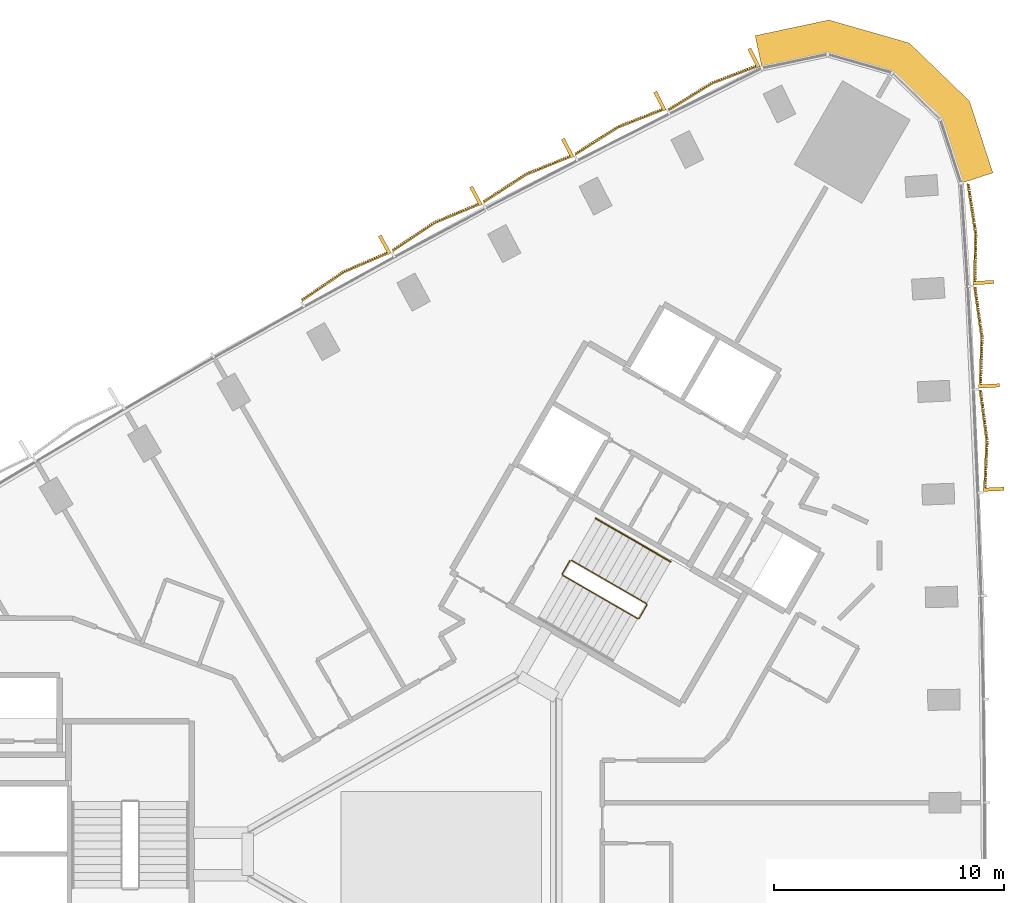
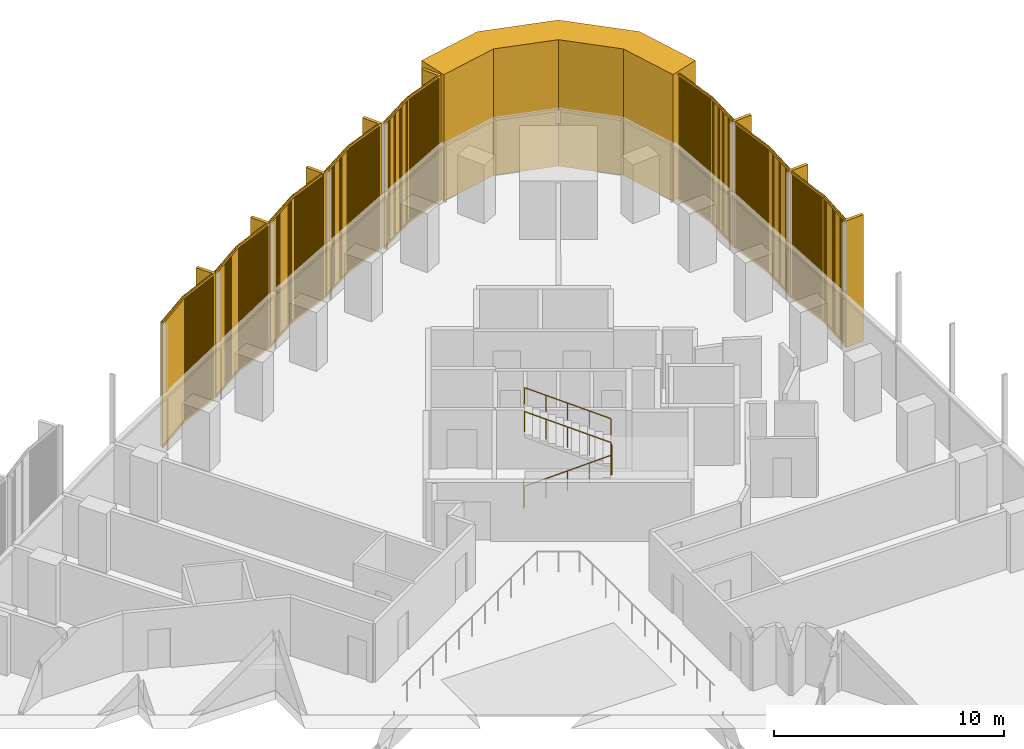
# One storey, part 15 of 15: 9 coverings, 2 railings.
"""IFC4 building model written with IfcOpenShell, lengths in metres."""

from ifc_helpers import new_model, si_unit, direction, frame, frame_2d, origin, origin_2d, place, context, subcontext, project, spatial, polyline, rectangle, circle, outline, extrude, source, transform, mapped, material, layer, layer_set, type_object, element, save


model = new_model("IFC4")

# Units and contexts
model_context = context("Model", 3, precision=1e-05, world=origin(), true_north=direction((0.0, 1.0)))
body_context = subcontext(model_context, "Body", "Model", "MODEL_VIEW")
ifc_project = project(units=[si_unit("LENGTHUNIT", "METRE"), si_unit("AREAUNIT", "SQUARE_METRE"), si_unit("VOLUMEUNIT", "CUBIC_METRE"), si_unit("PLANEANGLEUNIT", "RADIAN"), si_unit("MASSUNIT", "GRAM", prefix="KILO")], contexts=[model_context])

# Site, building, storey
site_placement = place(None, origin())
site = spatial("IfcSite", under=ifc_project, at=site_placement, CompositionType="ELEMENT")
building_placement = place(site_placement, origin())
building = spatial("IfcBuilding", under=site, at=building_placement, Name="Tamra Quay Hotel Tower", CompositionType="ELEMENT")
storey_placement = place(building_placement, frame((0.0, 0.0, 35.0)))
storey = spatial("IfcBuildingStorey", under=building, at=storey_placement, Name="L06", CompositionType="ELEMENT", Elevation=35.0)

# Covering
ifc_material_1 = material(Name="Precast concrete M60 terracotta-coloured", Category="masonry")
ifc_layer = layer(ifc_material_1, 1.449951171875)
ifc_layer_set = layer_set([ifc_layer], Name="CORNER PIER PANEL")
covering_type_1 = type_object("IfcCoveringType", Name="CORNER PIER PANEL", PredefinedType="CLADDING", material=ifc_layer_set)
covering_placement = place(storey_placement, origin())
element("IfcCovering", 1, at=covering_placement, inside=storey, type_object=covering_type_1, Name="Corner pier L06.east", PredefinedType="CLADDING", context=body_context, shape_type="SweptSolid", body=[
    extrude(outline(polyline([(22.598876953125, 29.154296875), (23.977783203125, 29.602294921875), (22.96533203125, 32.718017578125), (20.3486328125, 35.244873046875), (16.85205078125, 36.24755859375), (13.6474609375, 35.56640625), (13.948974609375, 34.148193359375), (16.7998046875, 34.754150390625), (19.601318359375, 33.95068359375), (21.697998046875, 31.926025390625), (22.598876953125, 29.154296875)])), origin(), (0.0, 0.0, 1.0), 6.72509765625),
])

# Railings
ifc_material_2 = material(Name="Stair guard 1100")
railing_type_1 = type_object("IfcRailingType", Name="Stair guard 1100", PredefinedType="GUARDRAIL", material=ifc_material_2)
railing_1_placement = place(storey_placement, frame((5.595458984375, 12.751953125, 0.0)))
element("IfcRailing", 2, at=railing_1_placement, inside=storey, type_object=railing_type_1, Name="GR", PredefinedType="GUARDRAIL", context=body_context, shape_type="SweptSolid", body=[
    extrude(circle(Radius=0.02392578125, at=origin_2d()), frame((0.0, 0.0, 1.076171875), z_axis=(-0.499765215335, -0.866160914346, 0.0), x_axis=(0.866160914346, -0.499765215335, 0.0)), (0.0, 0.0, 1.0), 0.658935546875),
    extrude(circle(Radius=0.02392578125, at=origin_2d()), frame((-0.329345703125, -0.57080078125, 1.076171875), z_axis=(0.110525977783, -0.411156637351, 0.904839338113), x_axis=(0.965715946433, 0.259601060869, 0.0)), (0.0, 0.0, 1.0), 0.165771484375),
    extrude(circle(Radius=0.02392578125, at=origin_2d()), frame((-0.31103515625, -0.638916015625, 1.22607421875), z_axis=(0.79305953016, -0.457922937641, 0.401700342053), x_axis=(0.500040788363, 0.866001853331, 0.0)), (0.0, 0.0, 1.0), 4.10791015625),
    extrude(circle(Radius=0.02392578125, at=origin_2d()), frame((2.94677734375, -2.52001953125, 2.8759765625), z_axis=(0.965948051503, 0.258736085224, 0.0), x_axis=(-0.258736085224, 0.965948051503, 0.0)), (0.0, 0.0, 1.0), 0.07080078125),
    extrude(circle(Radius=0.02392578125, at=origin_2d()), frame((3.01513671875, -2.501708984375, 2.8759765625), z_axis=(0.500043078269, 0.866000531106, 0.0), x_axis=(-0.866000531106, 0.500043078269, 0.0)), (0.0, 0.0, 1.0), 0.6591796875),
    extrude(circle(Radius=0.02392578125, at=origin_2d()), frame((3.3447265625, -1.930908203125, 2.8759765625), z_axis=(-0.110525977783, 0.411156637351, 0.904839338113), x_axis=(-0.965715946433, -0.259601060869, 0.0)), (0.0, 0.0, 1.0), 0.165771484375),
    extrude(circle(Radius=0.02392578125, at=origin_2d()), frame((3.326416015625, -1.86279296875, 3.02587890625), z_axis=(-0.793081581205, 0.457901355053, 0.401681409319), x_axis=(-0.500012686397, -0.866018079166, 0.0)), (0.0, 0.0, 1.0), 4.108154296875),
    extrude(circle(Radius=0.02099609375, at=origin_2d()), origin(), (0.0, 0.0, 1.0), 1.052001953125),
    extrude(circle(Radius=0.02099609375, at=origin_2d()), frame((-0.329345703125, -0.57080078125, 0.0)), (0.0, 0.0, 1.0), 1.052001953125),
    extrude(circle(Radius=0.02099609375, at=origin_2d()), frame((-0.31103515625, -0.638916015625, 0.14990234375)), (0.0, 0.0, 1.0), 1.052001953125),
    extrude(circle(Radius=0.02099609375, at=origin_2d()), frame((0.50341796875, -1.109130859375, 0.5625)), (0.0, 0.0, 1.0), 1.052001953125),
    extrude(circle(Radius=0.02099609375, at=origin_2d()), frame((1.31787109375, -1.57958984375, 0.97509765625)), (0.0, 0.0, 1.0), 1.052001953125),
    extrude(circle(Radius=0.02099609375, at=origin_2d()), frame((2.13232421875, -2.0498046875, 1.387451171875)), (0.0, 0.0, 1.0), 1.052001953125),
    extrude(circle(Radius=0.02099609375, at=origin_2d()), frame((2.94677734375, -2.52001953125, 1.800048828125)), (0.0, 0.0, 1.0), 1.052001953125),
    extrude(circle(Radius=0.02099609375, at=origin_2d()), frame((3.01513671875, -2.501708984375, 1.800048828125)), (0.0, 0.0, 1.0), 1.052001953125),
    extrude(circle(Radius=0.02099609375, at=origin_2d()), frame((3.3447265625, -1.930908203125, 1.800048828125)), (0.0, 0.0, 1.0), 1.052001953125),
    extrude(circle(Radius=0.02099609375, at=origin_2d()), frame((3.326416015625, -1.86279296875, 1.949951171875)), (0.0, 0.0, 1.0), 1.052001953125),
    extrude(circle(Radius=0.02099609375, at=origin_2d()), frame((2.511962890625, -1.392578125, 2.362548828125)), (0.0, 0.0, 1.0), 1.052001953125),
    extrude(circle(Radius=0.02099609375, at=origin_2d()), frame((1.697265625, -0.92236328125, 2.77490234375)), (0.0, 0.0, 1.0), 1.052001953125),
    extrude(circle(Radius=0.02099609375, at=origin_2d()), frame((0.8828125, -0.451904296875, 3.1875)), (0.0, 0.0, 1.0), 1.052001953125),
    extrude(circle(Radius=0.02099609375, at=origin_2d()), frame((0.068359375, 0.018310546875, 3.60009765625)), (0.0, 0.0, 1.0), 1.052001953125),
])
ifc_material_3 = material(Name="Stair handrail 900")
railing_type_2 = type_object("IfcRailingType", Name="Stair handrail 900", PredefinedType="HANDRAIL", material=ifc_material_3)
railing_2_placement = place(storey_placement, frame((9.971923828125, 12.7080078125, 1.949951171875)))
element("IfcRailing", 3, at=railing_2_placement, inside=storey, type_object=railing_type_2, Name="HR", PredefinedType="HANDRAIL", context=body_context, shape_type="SweptSolid", body=[
    extrude(circle(Radius=0.02392578125, at=origin_2d()), frame((0.0, 0.0, 0.8759765625), z_axis=(-0.793103162556, 0.457854384738, 0.401692339881), x_axis=(-0.499964013922, -0.86604617936, 0.0)), (0.0, 0.0, 1.0), 4.10791015625),
    extrude(circle(Radius=0.02099609375, at=origin_2d()), origin(), (0.0, 0.0, 1.0), 0.851806640625),
    extrude(circle(Radius=0.02099609375, at=origin_2d()), frame((-0.814453125, 0.47021484375, 0.41259765625)), (0.0, 0.0, 1.0), 0.851806640625),
    extrude(circle(Radius=0.02099609375, at=origin_2d()), frame((-1.62890625, 0.9404296875, 0.8251953125)), (0.0, 0.0, 1.0), 0.851806640625),
    extrude(circle(Radius=0.02099609375, at=origin_2d()), frame((-2.443603515625, 1.41064453125, 1.237548828125)), (0.0, 0.0, 1.0), 0.851806640625),
    extrude(circle(Radius=0.02099609375, at=origin_2d()), frame((-3.258056640625, 1.880859375, 1.650146484375)), (0.0, 0.0, 1.0), 0.851806640625),
])

# Coverings
ifc_material_4 = material(Name="Terracotta baguette extruded", Category="masonry")
covering_type_2 = type_object("IfcCoveringType", Name="BAGUETTE SCREEN E-V H6725", PredefinedType="USERDEFINED", material=ifc_material_4)
shared_shape_1 = source(origin(), body_context, "Body", "SweptSolid", [
    extrude(rectangle(XDim=2.2109375, YDim=0.06005859375, at=frame_2d((1.10546875, 0.030029296875))), frame((-2.207763671875, -0.057861328125, -0.1201171875), z_axis=(0.0, 0.0, 1.0), x_axis=(0.996194698092, -0.087155742748, 0.0)), (0.0, 0.0, 1.0), 0.1201171875),
    extrude(rectangle(XDim=2.2109375, YDim=0.06005859375, at=frame_2d((1.10546875, 0.030029296875))), frame((-2.207763671875, -0.057861328125, -6.72509765625), z_axis=(0.0, 0.0, 1.0), x_axis=(0.996194698092, -0.087155742748, 0.0)), (0.0, 0.0, 1.0), 0.1201171875),
    extrude(rectangle(XDim=0.070068359375, YDim=0.10009765625, at=frame_2d((0.03515625, 0.050048828125))), frame((-2.1875, -0.13232421875, -6.6650390625)), (0.0, 0.0, 1.0), 6.60498046875),
    extrude(rectangle(XDim=0.070068359375, YDim=0.10009765625, at=frame_2d((0.03515625, 0.050048828125))), frame((-2.08740234375, -0.14111328125, -6.6650390625)), (0.0, 0.0, 1.0), 6.60498046875),
    extrude(rectangle(XDim=0.070068359375, YDim=0.10009765625, at=frame_2d((0.03515625, 0.050048828125))), frame((-1.9873046875, -0.14990234375, -6.6650390625)), (0.0, 0.0, 1.0), 6.60498046875),
    extrude(rectangle(XDim=0.070068359375, YDim=0.10009765625, at=frame_2d((0.03515625, 0.050048828125))), frame((-1.88720703125, -0.15869140625, -6.6650390625)), (0.0, 0.0, 1.0), 6.60498046875),
    extrude(rectangle(XDim=0.070068359375, YDim=0.10009765625, at=frame_2d((0.03515625, 0.050048828125))), frame((-1.787109375, -0.16748046875, -6.6650390625)), (0.0, 0.0, 1.0), 6.60498046875),
    extrude(rectangle(XDim=0.070068359375, YDim=0.10009765625, at=frame_2d((0.03515625, 0.050048828125))), frame((-1.686767578125, -0.17626953125, -6.6650390625)), (0.0, 0.0, 1.0), 6.60498046875),
    extrude(rectangle(XDim=0.070068359375, YDim=0.10009765625, at=frame_2d((0.03515625, 0.050048828125))), frame((-1.586669921875, -0.184814453125, -6.6650390625)), (0.0, 0.0, 1.0), 6.60498046875),
    extrude(rectangle(XDim=0.070068359375, YDim=0.10009765625, at=frame_2d((0.03515625, 0.050048828125))), frame((-1.486572265625, -0.193603515625, -6.6650390625)), (0.0, 0.0, 1.0), 6.60498046875),
    extrude(rectangle(XDim=0.070068359375, YDim=0.10009765625, at=frame_2d((0.03515625, 0.050048828125))), frame((-1.386474609375, -0.202392578125, -6.6650390625)), (0.0, 0.0, 1.0), 6.60498046875),
    extrude(rectangle(XDim=0.070068359375, YDim=0.10009765625, at=frame_2d((0.03515625, 0.050048828125))), frame((-1.286376953125, -0.211181640625, -6.6650390625)), (0.0, 0.0, 1.0), 6.60498046875),
    extrude(rectangle(XDim=0.070068359375, YDim=0.10009765625, at=frame_2d((0.03515625, 0.050048828125))), frame((-1.186279296875, -0.219970703125, -6.6650390625)), (0.0, 0.0, 1.0), 6.60498046875),
    extrude(rectangle(XDim=0.070068359375, YDim=0.10009765625, at=frame_2d((0.03515625, 0.050048828125))), frame((-1.086181640625, -0.228759765625, -6.6650390625)), (0.0, 0.0, 1.0), 6.60498046875),
    extrude(rectangle(XDim=0.070068359375, YDim=0.10009765625, at=frame_2d((0.03515625, 0.050048828125))), frame((-0.986083984375, -0.237548828125, -6.6650390625)), (0.0, 0.0, 1.0), 6.60498046875),
    extrude(rectangle(XDim=0.070068359375, YDim=0.10009765625, at=frame_2d((0.03515625, 0.050048828125))), frame((-0.885986328125, -0.246337890625, -6.6650390625)), (0.0, 0.0, 1.0), 6.60498046875),
    extrude(rectangle(XDim=0.070068359375, YDim=0.10009765625, at=frame_2d((0.03515625, 0.050048828125))), frame((-0.785888671875, -0.2548828125, -6.6650390625)), (0.0, 0.0, 1.0), 6.60498046875),
    extrude(rectangle(XDim=0.070068359375, YDim=0.10009765625, at=frame_2d((0.03515625, 0.050048828125))), frame((-0.685791015625, -0.263671875, -6.6650390625)), (0.0, 0.0, 1.0), 6.60498046875),
    extrude(rectangle(XDim=0.070068359375, YDim=0.10009765625, at=frame_2d((0.03515625, 0.050048828125))), frame((-0.585693359375, -0.2724609375, -6.6650390625)), (0.0, 0.0, 1.0), 6.60498046875),
    extrude(rectangle(XDim=0.070068359375, YDim=0.10009765625, at=frame_2d((0.03515625, 0.050048828125))), frame((-0.485595703125, -0.28125, -6.6650390625)), (0.0, 0.0, 1.0), 6.60498046875),
    extrude(rectangle(XDim=0.070068359375, YDim=0.10009765625, at=frame_2d((0.03515625, 0.050048828125))), frame((-0.385498046875, -0.2900390625, -6.6650390625)), (0.0, 0.0, 1.0), 6.60498046875),
    extrude(rectangle(XDim=0.070068359375, YDim=0.10009765625, at=frame_2d((0.03515625, 0.050048828125))), frame((-0.285400390625, -0.298828125, -6.6650390625)), (0.0, 0.0, 1.0), 6.60498046875),
    extrude(rectangle(XDim=0.070068359375, YDim=0.10009765625, at=frame_2d((0.03515625, 0.050048828125))), frame((-0.18505859375, -0.3076171875, -6.6650390625)), (0.0, 0.0, 1.0), 6.60498046875),
    extrude(rectangle(XDim=0.070068359375, YDim=0.10009765625, at=frame_2d((0.03515625, 0.050048828125))), frame((-0.0849609375, -0.31640625, -6.6650390625)), (0.0, 0.0, 1.0), 6.60498046875),
    extrude(rectangle(XDim=2.2109375, YDim=0.06005859375, at=frame_2d((1.10546875, 0.030029296875))), frame((0.005126953125, -0.25048828125, -0.1201171875), z_axis=(0.0, 0.0, 1.0), x_axis=(0.996194698092, 0.087155742748, 0.0)), (0.0, 0.0, 1.0), 0.1201171875),
    extrude(rectangle(XDim=2.2109375, YDim=0.06005859375, at=frame_2d((1.10546875, 0.030029296875))), frame((0.005126953125, -0.25048828125, -6.72509765625), z_axis=(0.0, 0.0, 1.0), x_axis=(0.996194698092, 0.087155742748, 0.0)), (0.0, 0.0, 1.0), 0.1201171875),
    extrude(rectangle(XDim=0.070068359375, YDim=0.10009765625, at=frame_2d((0.03515625, 0.050048828125))), frame((0.01513671875, -0.31640625, -6.6650390625)), (0.0, 0.0, 1.0), 6.60498046875),
    extrude(rectangle(XDim=0.070068359375, YDim=0.10009765625, at=frame_2d((0.03515625, 0.050048828125))), frame((0.115234375, -0.3076171875, -6.6650390625)), (0.0, 0.0, 1.0), 6.60498046875),
    extrude(rectangle(XDim=0.070068359375, YDim=0.10009765625, at=frame_2d((0.03515625, 0.050048828125))), frame((0.21533203125, -0.298828125, -6.6650390625)), (0.0, 0.0, 1.0), 6.60498046875),
    extrude(rectangle(XDim=0.070068359375, YDim=0.10009765625, at=frame_2d((0.03515625, 0.050048828125))), frame((0.3154296875, -0.2900390625, -6.6650390625)), (0.0, 0.0, 1.0), 6.60498046875),
    extrude(rectangle(XDim=0.070068359375, YDim=0.10009765625, at=frame_2d((0.03515625, 0.050048828125))), frame((0.41552734375, -0.28125, -6.6650390625)), (0.0, 0.0, 1.0), 6.60498046875),
    extrude(rectangle(XDim=0.070068359375, YDim=0.10009765625, at=frame_2d((0.03515625, 0.050048828125))), frame((0.515625, -0.2724609375, -6.6650390625)), (0.0, 0.0, 1.0), 6.60498046875),
    extrude(rectangle(XDim=0.070068359375, YDim=0.10009765625, at=frame_2d((0.03515625, 0.050048828125))), frame((0.61572265625, -0.263671875, -6.6650390625)), (0.0, 0.0, 1.0), 6.60498046875),
    extrude(rectangle(XDim=0.070068359375, YDim=0.10009765625, at=frame_2d((0.03515625, 0.050048828125))), frame((0.7158203125, -0.2548828125, -6.6650390625)), (0.0, 0.0, 1.0), 6.60498046875),
    extrude(rectangle(XDim=0.070068359375, YDim=0.10009765625, at=frame_2d((0.03515625, 0.050048828125))), frame((0.81591796875, -0.246337890625, -6.6650390625)), (0.0, 0.0, 1.0), 6.60498046875),
    extrude(rectangle(XDim=0.070068359375, YDim=0.10009765625, at=frame_2d((0.03515625, 0.050048828125))), frame((0.916015625, -0.237548828125, -6.6650390625)), (0.0, 0.0, 1.0), 6.60498046875),
    extrude(rectangle(XDim=0.070068359375, YDim=0.10009765625, at=frame_2d((0.03515625, 0.050048828125))), frame((1.01611328125, -0.228759765625, -6.6650390625)), (0.0, 0.0, 1.0), 6.60498046875),
    extrude(rectangle(XDim=0.070068359375, YDim=0.10009765625, at=frame_2d((0.03515625, 0.050048828125))), frame((1.1162109375, -0.219970703125, -6.6650390625)), (0.0, 0.0, 1.0), 6.60498046875),
    extrude(rectangle(XDim=0.070068359375, YDim=0.10009765625, at=frame_2d((0.03515625, 0.050048828125))), frame((1.21630859375, -0.211181640625, -6.6650390625)), (0.0, 0.0, 1.0), 6.60498046875),
    extrude(rectangle(XDim=0.070068359375, YDim=0.10009765625, at=frame_2d((0.03515625, 0.050048828125))), frame((1.316650390625, -0.202392578125, -6.6650390625)), (0.0, 0.0, 1.0), 6.60498046875),
    extrude(rectangle(XDim=0.070068359375, YDim=0.10009765625, at=frame_2d((0.03515625, 0.050048828125))), frame((1.416748046875, -0.193603515625, -6.6650390625)), (0.0, 0.0, 1.0), 6.60498046875),
    extrude(rectangle(XDim=0.070068359375, YDim=0.10009765625, at=frame_2d((0.03515625, 0.050048828125))), frame((1.516845703125, -0.184814453125, -6.6650390625)), (0.0, 0.0, 1.0), 6.60498046875),
    extrude(rectangle(XDim=0.070068359375, YDim=0.10009765625, at=frame_2d((0.03515625, 0.050048828125))), frame((1.616943359375, -0.17626953125, -6.6650390625)), (0.0, 0.0, 1.0), 6.60498046875),
    extrude(rectangle(XDim=0.070068359375, YDim=0.10009765625, at=frame_2d((0.03515625, 0.050048828125))), frame((1.717041015625, -0.16748046875, -6.6650390625)), (0.0, 0.0, 1.0), 6.60498046875),
    extrude(rectangle(XDim=0.070068359375, YDim=0.10009765625, at=frame_2d((0.03515625, 0.050048828125))), frame((1.817138671875, -0.15869140625, -6.6650390625)), (0.0, 0.0, 1.0), 6.60498046875),
    extrude(rectangle(XDim=0.070068359375, YDim=0.10009765625, at=frame_2d((0.03515625, 0.050048828125))), frame((1.917236328125, -0.14990234375, -6.6650390625)), (0.0, 0.0, 1.0), 6.60498046875),
    extrude(rectangle(XDim=0.070068359375, YDim=0.10009765625, at=frame_2d((0.03515625, 0.050048828125))), frame((2.017333984375, -0.14111328125, -6.6650390625)), (0.0, 0.0, 1.0), 6.60498046875),
    extrude(rectangle(XDim=0.070068359375, YDim=0.10009765625, at=frame_2d((0.03515625, 0.050048828125))), frame((2.117431640625, -0.13232421875, -6.6650390625)), (0.0, 0.0, 1.0), 6.60498046875),
    extrude(rectangle(XDim=0.14990234375, YDim=0.902099609375, at=frame_2d((0.074951171875, 0.451171875))), frame((-2.202392578125, -0.89990234375, -6.72509765625)), (0.0, 0.0, 1.0), 6.72509765625),
])
for number, where, z_axis, x_axis, name in (
    (4, (23.46728515625, 17.96044921875, 6.72509765625), (0.0, 0.0, 1.0), (-0.04328585604, 0.999062728094, 0.0), "Baguette screen L06.E.f10"),
    (5, (23.248779296875, 22.44677734375, 6.72509765625), (0.0, 0.0, 1.0), (-0.054062166947, 0.998537571704, 0.0), "Baguette screen L06.E.f11"),
    (6, (22.981689453125, 26.93017578125, 6.72509765625), (0.0, 0.0, 1.0), (-0.064813190551, 0.997897414733, 0.0), "Baguette screen L06.E.f12"),
):
    element("IfcCovering", number, at=place(storey_placement, frame(where, z_axis=z_axis, x_axis=x_axis)), inside=storey, type_object=covering_type_2, Name=name, ObjectType="BAGUETTE SCREEN", PredefinedType="USERDEFINED", context=body_context, shape_type="MappedRepresentation", body=[
        mapped(shared_shape_1, transform((0.0, 0.0, 0.0), scale=1.0)),
    ])
covering_type_3 = type_object("IfcCoveringType", Name="BAGUETTE SCREEN NW-V H6725", PredefinedType="USERDEFINED", material=ifc_material_4)
shared_shape_2 = source(origin(), body_context, "Body", "SweptSolid", [
    extrude(rectangle(XDim=2.212646484375, YDim=0.06005859375, at=frame_2d((1.1064453125, 0.030029296875))), frame((-2.208251953125, -0.0576171875, -0.1201171875), z_axis=(0.0, 0.0, 1.0), x_axis=(0.995396198367, -0.09584575252, 0.0)), (0.0, 0.0, 1.0), 0.1201171875),
    extrude(rectangle(XDim=2.212646484375, YDim=0.06005859375, at=frame_2d((1.1064453125, 0.030029296875))), frame((-2.208251953125, -0.0576171875, -6.72509765625), z_axis=(0.0, 0.0, 1.0), x_axis=(0.995396198367, -0.09584575252, 0.0)), (0.0, 0.0, 1.0), 0.1201171875),
    extrude(rectangle(XDim=0.070068359375, YDim=0.10009765625, at=frame_2d((0.03515625, 0.050048828125))), frame((-2.1875, -0.1328125, -6.6650390625)), (0.0, 0.0, 1.0), 6.60498046875),
    extrude(rectangle(XDim=0.070068359375, YDim=0.10009765625, at=frame_2d((0.03515625, 0.050048828125))), frame((-2.08740234375, -0.142578125, -6.6650390625)), (0.0, 0.0, 1.0), 6.60498046875),
    extrude(rectangle(XDim=0.070068359375, YDim=0.10009765625, at=frame_2d((0.03515625, 0.050048828125))), frame((-1.9873046875, -0.152099609375, -6.6650390625)), (0.0, 0.0, 1.0), 6.60498046875),
    extrude(rectangle(XDim=0.070068359375, YDim=0.10009765625, at=frame_2d((0.03515625, 0.050048828125))), frame((-1.88720703125, -0.16162109375, -6.6650390625)), (0.0, 0.0, 1.0), 6.60498046875),
    extrude(rectangle(XDim=0.070068359375, YDim=0.10009765625, at=frame_2d((0.03515625, 0.050048828125))), frame((-1.787109375, -0.17138671875, -6.6650390625)), (0.0, 0.0, 1.0), 6.60498046875),
    extrude(rectangle(XDim=0.070068359375, YDim=0.10009765625, at=frame_2d((0.03515625, 0.050048828125))), frame((-1.686767578125, -0.180908203125, -6.6650390625)), (0.0, 0.0, 1.0), 6.60498046875),
    extrude(rectangle(XDim=0.070068359375, YDim=0.10009765625, at=frame_2d((0.03515625, 0.050048828125))), frame((-1.586669921875, -0.190673828125, -6.6650390625)), (0.0, 0.0, 1.0), 6.60498046875),
    extrude(rectangle(XDim=0.070068359375, YDim=0.10009765625, at=frame_2d((0.03515625, 0.050048828125))), frame((-1.486572265625, -0.2001953125, -6.6650390625)), (0.0, 0.0, 1.0), 6.60498046875),
    extrude(rectangle(XDim=0.070068359375, YDim=0.10009765625, at=frame_2d((0.03515625, 0.050048828125))), frame((-1.386474609375, -0.2099609375, -6.6650390625)), (0.0, 0.0, 1.0), 6.60498046875),
    extrude(rectangle(XDim=0.070068359375, YDim=0.10009765625, at=frame_2d((0.03515625, 0.050048828125))), frame((-1.286376953125, -0.219482421875, -6.6650390625)), (0.0, 0.0, 1.0), 6.60498046875),
    extrude(rectangle(XDim=0.070068359375, YDim=0.10009765625, at=frame_2d((0.03515625, 0.050048828125))), frame((-1.186279296875, -0.229248046875, -6.6650390625)), (0.0, 0.0, 1.0), 6.60498046875),
    extrude(rectangle(XDim=0.070068359375, YDim=0.10009765625, at=frame_2d((0.03515625, 0.050048828125))), frame((-1.086181640625, -0.23876953125, -6.6650390625)), (0.0, 0.0, 1.0), 6.60498046875),
    extrude(rectangle(XDim=0.070068359375, YDim=0.10009765625, at=frame_2d((0.03515625, 0.050048828125))), frame((-0.986083984375, -0.24853515625, -6.6650390625)), (0.0, 0.0, 1.0), 6.60498046875),
    extrude(rectangle(XDim=0.070068359375, YDim=0.10009765625, at=frame_2d((0.03515625, 0.050048828125))), frame((-0.885986328125, -0.258056640625, -6.6650390625)), (0.0, 0.0, 1.0), 6.60498046875),
    extrude(rectangle(XDim=0.070068359375, YDim=0.10009765625, at=frame_2d((0.03515625, 0.050048828125))), frame((-0.785888671875, -0.267822265625, -6.6650390625)), (0.0, 0.0, 1.0), 6.60498046875),
    extrude(rectangle(XDim=0.070068359375, YDim=0.10009765625, at=frame_2d((0.03515625, 0.050048828125))), frame((-0.685791015625, -0.27734375, -6.6650390625)), (0.0, 0.0, 1.0), 6.60498046875),
    extrude(rectangle(XDim=0.070068359375, YDim=0.10009765625, at=frame_2d((0.03515625, 0.050048828125))), frame((-0.585693359375, -0.287109375, -6.6650390625)), (0.0, 0.0, 1.0), 6.60498046875),
    extrude(rectangle(XDim=0.070068359375, YDim=0.10009765625, at=frame_2d((0.03515625, 0.050048828125))), frame((-0.485595703125, -0.296630859375, -6.6650390625)), (0.0, 0.0, 1.0), 6.60498046875),
    extrude(rectangle(XDim=0.070068359375, YDim=0.10009765625, at=frame_2d((0.03515625, 0.050048828125))), frame((-0.385498046875, -0.306396484375, -6.6650390625)), (0.0, 0.0, 1.0), 6.60498046875),
    extrude(rectangle(XDim=0.070068359375, YDim=0.10009765625, at=frame_2d((0.03515625, 0.050048828125))), frame((-0.285400390625, -0.31591796875, -6.6650390625)), (0.0, 0.0, 1.0), 6.60498046875),
    extrude(rectangle(XDim=0.070068359375, YDim=0.10009765625, at=frame_2d((0.03515625, 0.050048828125))), frame((-0.18505859375, -0.32568359375, -6.6650390625)), (0.0, 0.0, 1.0), 6.60498046875),
    extrude(rectangle(XDim=0.070068359375, YDim=0.10009765625, at=frame_2d((0.03515625, 0.050048828125))), frame((-0.0849609375, -0.335205078125, -6.6650390625)), (0.0, 0.0, 1.0), 6.60498046875),
    extrude(rectangle(XDim=2.212646484375, YDim=0.06005859375, at=frame_2d((1.1064453125, 0.030029296875))), frame((0.005859375, -0.269775390625, -0.1201171875), z_axis=(0.0, 0.0, 1.0), x_axis=(0.995396198367, 0.09584575252, 0.0)), (0.0, 0.0, 1.0), 0.1201171875),
    extrude(rectangle(XDim=2.212646484375, YDim=0.06005859375, at=frame_2d((1.1064453125, 0.030029296875))), frame((0.005859375, -0.269775390625, -6.72509765625), z_axis=(0.0, 0.0, 1.0), x_axis=(0.995396198367, 0.09584575252, 0.0)), (0.0, 0.0, 1.0), 0.1201171875),
    extrude(rectangle(XDim=0.070068359375, YDim=0.10009765625, at=frame_2d((0.03515625, 0.050048828125))), frame((0.01513671875, -0.335205078125, -6.6650390625)), (0.0, 0.0, 1.0), 6.60498046875),
    extrude(rectangle(XDim=0.070068359375, YDim=0.10009765625, at=frame_2d((0.03515625, 0.050048828125))), frame((0.115234375, -0.32568359375, -6.6650390625)), (0.0, 0.0, 1.0), 6.60498046875),
    extrude(rectangle(XDim=0.070068359375, YDim=0.10009765625, at=frame_2d((0.03515625, 0.050048828125))), frame((0.21533203125, -0.31591796875, -6.6650390625)), (0.0, 0.0, 1.0), 6.60498046875),
    extrude(rectangle(XDim=0.070068359375, YDim=0.10009765625, at=frame_2d((0.03515625, 0.050048828125))), frame((0.3154296875, -0.306396484375, -6.6650390625)), (0.0, 0.0, 1.0), 6.60498046875),
    extrude(rectangle(XDim=0.070068359375, YDim=0.10009765625, at=frame_2d((0.03515625, 0.050048828125))), frame((0.41552734375, -0.296630859375, -6.6650390625)), (0.0, 0.0, 1.0), 6.60498046875),
    extrude(rectangle(XDim=0.070068359375, YDim=0.10009765625, at=frame_2d((0.03515625, 0.050048828125))), frame((0.515625, -0.287109375, -6.6650390625)), (0.0, 0.0, 1.0), 6.60498046875),
    extrude(rectangle(XDim=0.070068359375, YDim=0.10009765625, at=frame_2d((0.03515625, 0.050048828125))), frame((0.61572265625, -0.27734375, -6.6650390625)), (0.0, 0.0, 1.0), 6.60498046875),
    extrude(rectangle(XDim=0.070068359375, YDim=0.10009765625, at=frame_2d((0.03515625, 0.050048828125))), frame((0.7158203125, -0.267822265625, -6.6650390625)), (0.0, 0.0, 1.0), 6.60498046875),
    extrude(rectangle(XDim=0.070068359375, YDim=0.10009765625, at=frame_2d((0.03515625, 0.050048828125))), frame((0.81591796875, -0.258056640625, -6.6650390625)), (0.0, 0.0, 1.0), 6.60498046875),
    extrude(rectangle(XDim=0.070068359375, YDim=0.10009765625, at=frame_2d((0.03515625, 0.050048828125))), frame((0.916015625, -0.24853515625, -6.6650390625)), (0.0, 0.0, 1.0), 6.60498046875),
    extrude(rectangle(XDim=0.070068359375, YDim=0.10009765625, at=frame_2d((0.03515625, 0.050048828125))), frame((1.01611328125, -0.23876953125, -6.6650390625)), (0.0, 0.0, 1.0), 6.60498046875),
    extrude(rectangle(XDim=0.070068359375, YDim=0.10009765625, at=frame_2d((0.03515625, 0.050048828125))), frame((1.1162109375, -0.229248046875, -6.6650390625)), (0.0, 0.0, 1.0), 6.60498046875),
    extrude(rectangle(XDim=0.070068359375, YDim=0.10009765625, at=frame_2d((0.03515625, 0.050048828125))), frame((1.21630859375, -0.219482421875, -6.6650390625)), (0.0, 0.0, 1.0), 6.60498046875),
    extrude(rectangle(XDim=0.070068359375, YDim=0.10009765625, at=frame_2d((0.03515625, 0.050048828125))), frame((1.316650390625, -0.2099609375, -6.6650390625)), (0.0, 0.0, 1.0), 6.60498046875),
    extrude(rectangle(XDim=0.070068359375, YDim=0.10009765625, at=frame_2d((0.03515625, 0.050048828125))), frame((1.416748046875, -0.2001953125, -6.6650390625)), (0.0, 0.0, 1.0), 6.60498046875),
    extrude(rectangle(XDim=0.070068359375, YDim=0.10009765625, at=frame_2d((0.03515625, 0.050048828125))), frame((1.516845703125, -0.190673828125, -6.6650390625)), (0.0, 0.0, 1.0), 6.60498046875),
    extrude(rectangle(XDim=0.070068359375, YDim=0.10009765625, at=frame_2d((0.03515625, 0.050048828125))), frame((1.616943359375, -0.180908203125, -6.6650390625)), (0.0, 0.0, 1.0), 6.60498046875),
    extrude(rectangle(XDim=0.070068359375, YDim=0.10009765625, at=frame_2d((0.03515625, 0.050048828125))), frame((1.717041015625, -0.17138671875, -6.6650390625)), (0.0, 0.0, 1.0), 6.60498046875),
    extrude(rectangle(XDim=0.070068359375, YDim=0.10009765625, at=frame_2d((0.03515625, 0.050048828125))), frame((1.817138671875, -0.16162109375, -6.6650390625)), (0.0, 0.0, 1.0), 6.60498046875),
    extrude(rectangle(XDim=0.070068359375, YDim=0.10009765625, at=frame_2d((0.03515625, 0.050048828125))), frame((1.917236328125, -0.152099609375, -6.6650390625)), (0.0, 0.0, 1.0), 6.60498046875),
    extrude(rectangle(XDim=0.070068359375, YDim=0.10009765625, at=frame_2d((0.03515625, 0.050048828125))), frame((2.017333984375, -0.142578125, -6.6650390625)), (0.0, 0.0, 1.0), 6.60498046875),
    extrude(rectangle(XDim=0.070068359375, YDim=0.10009765625, at=frame_2d((0.03515625, 0.050048828125))), frame((2.117431640625, -0.1328125, -6.6650390625)), (0.0, 0.0, 1.0), 6.60498046875),
    extrude(rectangle(XDim=0.14990234375, YDim=0.902099609375, at=frame_2d((0.074951171875, 0.451171875))), frame((-2.202392578125, -0.89990234375, -6.72509765625)), (0.0, 0.0, 1.0), 6.72509765625),
])
for number, where, z_axis, x_axis, name in (
    (7, (11.884521484375, 33.26025390625, 6.72509765625), (0.0, 0.0, 1.0), (-0.896611106805, -0.442818837849, 0.0), "Baguette screen L06.NW.f00"),
    (8, (7.815185546875, 31.357177734375, 6.72509765625), (0.0, 0.0, 1.0), (-0.891789987202, -0.452449575893, 0.0), "Baguette screen L06.NW.f01"),
    (9, (3.820556640625, 29.303466796875, 6.72509765625), (0.0, 0.0, 1.0), (-0.886856630524, -0.462044713092, 0.0), "Baguette screen L06.NW.f02"),
    (10, (-0.1513671875, 27.206787109375, 6.72509765625), (0.0, 0.0, 1.0), (-0.88180596184, -0.471612389218, 0.0), "Baguette screen L06.NW.f03"),
    (11, (-4.1005859375, 25.067138671875, 6.72509765625), (0.0, 0.0, 1.0), (-0.876651100562, -0.48112664433, 0.0), "Baguette screen L06.NW.f04"),
):
    element("IfcCovering", number, at=place(storey_placement, frame(where, z_axis=z_axis, x_axis=x_axis)), inside=storey, type_object=covering_type_3, Name=name, ObjectType="BAGUETTE SCREEN", PredefinedType="USERDEFINED", context=body_context, shape_type="MappedRepresentation", body=[
        mapped(shared_shape_2, transform((0.0, 0.0, 0.0), scale=1.0)),
    ])

save(model, "model.ifc")
